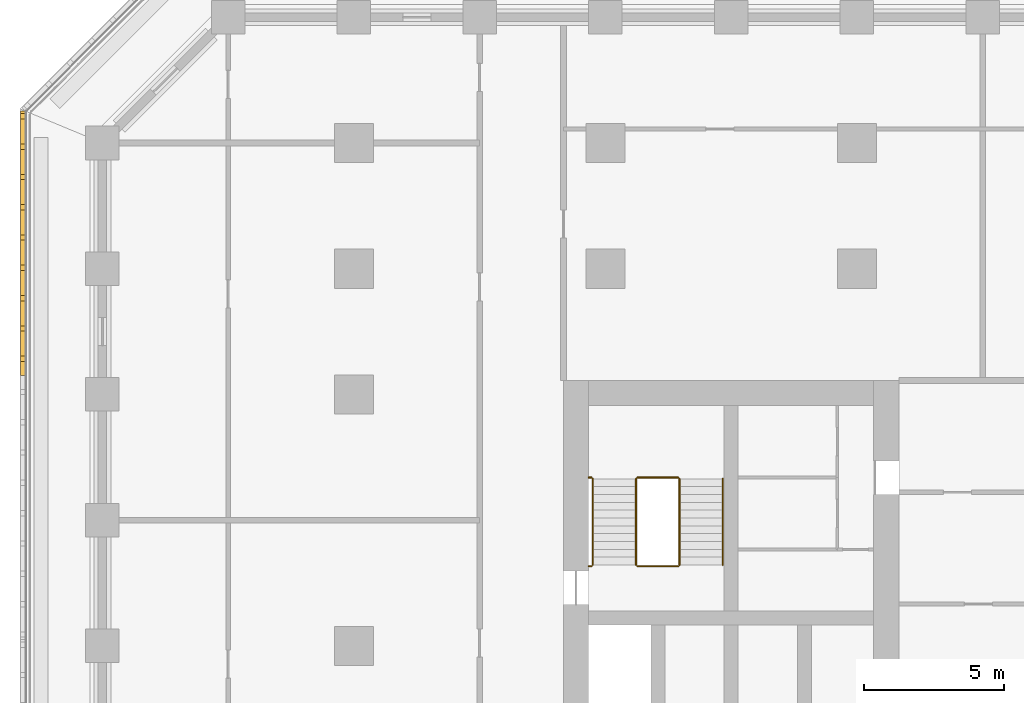
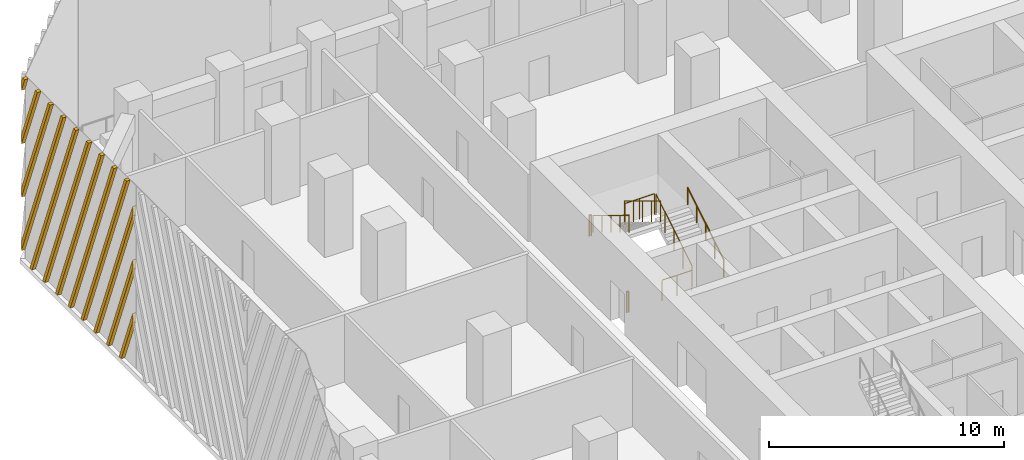
# One storey, part 13 of 17: 8 railings, 1 shading device.
"""IFC4 building model written with IfcOpenShell, lengths in metres."""

import ifcopenshell
import ifcopenshell.guid

model = None  # the IFC model being written
_history = None  # IfcOwnerHistory: only IFC2X3 demands one
_inside = {}  # id of a spatial element -> (the spatial element, [elements in it])
_under = {}  # id of a project, library or spatial element -> (it, [spatial elements below it])
_declared = {}  # id of a project -> (the project, [libraries it declares])
_typed = {}  # id of a type object -> (the type object, [elements of that type])
_made_of = {}  # id of a material, layer set ... -> (it, [elements and type objects made of it])


def new_model(schema):
    """Start an empty IFC model of exactly this schema.

    Asked for "IFC4X3", IfcOpenShell would pick the latest addendum, in which some entities
    have other attributes; the version numbers below select the first issue.
    IFC2X3 requires an IfcOwnerHistory on every rooted entity: one is made here for all.
    """
    global model, _history
    if schema == "IFC4X3":
        model = ifcopenshell.file(schema_version=(4, 3, 0, 0))
    else:
        model = ifcopenshell.file(schema=schema)
    _inside.clear()
    _under.clear()
    _declared.clear()
    _typed.clear()
    _made_of.clear()
    _history = None
    if model.schema == "IFC2X3":
        org = make("IfcOrganization", Name="unknown")
        user = make(
            "IfcPersonAndOrganization",
            ThePerson=make("IfcPerson", FamilyName="unknown"),
            TheOrganization=org,
        )
        app = make(
            "IfcApplication",
            ApplicationDeveloper=org,
            Version="unknown",
            ApplicationFullName="unknown",
            ApplicationIdentifier="unknown",
        )
        _history = make(
            "IfcOwnerHistory",
            OwningUser=user,
            OwningApplication=app,
            ChangeAction="ADDED",
            CreationDate=0,
        )
    return model


def make(cls, **values):
    """One entity of the class cls with the attributes given. An attribute that is None is left unset."""
    return model.create_entity(
        cls, **{name: value for name, value in values.items() if value is not None}
    )


def rooted(cls, **values):
    """An entity with a GlobalId (a new one), such as an element, a storey or a relation."""
    return make(cls, GlobalId=ifcopenshell.guid.new(), OwnerHistory=_history, **values)


def si_unit(unit_type, name, prefix=None):
    """IfcSIUnit, for example si_unit("LENGTHUNIT", "METRE", prefix="MILLI")."""
    return make("IfcSIUnit", UnitType=unit_type, Prefix=prefix, Name=name)


def assignment(units):
    """IfcUnitAssignment: the units of a project."""
    return None if units is None else make("IfcUnitAssignment", Units=units)


def point(xyz):
    """IfcCartesianPoint."""
    return None if xyz is None else make("IfcCartesianPoint", Coordinates=xyz)


def direction(xyz):
    """IfcDirection."""
    return None if xyz is None else make("IfcDirection", DirectionRatios=xyz)


def frame(location, z_axis=None, x_axis=None):
    """IfcAxis2Placement3D, a coordinate frame: its origin and axes. An axis left out is left unset."""
    return make(
        "IfcAxis2Placement3D",
        Location=point(location),
        Axis=direction(z_axis),
        RefDirection=direction(x_axis),
    )


def frame_2d(location, x_axis=None):
    """IfcAxis2Placement2D, a coordinate frame in the plane: its origin and x axis."""
    return make(
        "IfcAxis2Placement2D", Location=point(location), RefDirection=direction(x_axis)
    )


def origin():
    """The frame at (0, 0, 0) with its axes left unset."""
    return frame((0.0, 0.0, 0.0))


def origin_2d():
    """The frame at (0, 0) in the plane with its x axis left unset."""
    return frame_2d((0.0, 0.0))


def place(relative_to, where):
    """IfcLocalPlacement: puts the frame where relative to a parent placement (None: the world)."""
    return make(
        "IfcLocalPlacement", PlacementRelTo=relative_to, RelativePlacement=where
    )


def context(
    kind, dimensions, precision=None, world=None, true_north=None, identifier=None
):
    """IfcGeometricRepresentationContext, for example the 3D "Model" context."""
    return make(
        "IfcGeometricRepresentationContext",
        ContextIdentifier=identifier,
        ContextType=kind,
        CoordinateSpaceDimension=dimensions,
        Precision=precision,
        WorldCoordinateSystem=world,
        TrueNorth=true_north,
    )


def subcontext(parent, identifier, kind, view, scale=None):
    """IfcGeometricRepresentationSubContext, for example "Body" below "Model"."""
    return make(
        "IfcGeometricRepresentationSubContext",
        ContextIdentifier=identifier,
        ContextType=kind,
        ParentContext=parent,
        TargetScale=scale,
        TargetView=view,
    )


def project(units=None, contexts=None):
    """IfcProject with its units and contexts."""
    return rooted(
        "IfcProject",
        Name="project",
        RepresentationContexts=contexts,
        UnitsInContext=assignment(units),
    )


def spatial(cls, under=None, at=None, **own):
    """A site, building, storey or space (cls), placed at a placement, below another one or the project."""
    s = rooted(cls, ObjectPlacement=at, **own)
    if under is not None:
        _under.setdefault(under.id(), (under, []))[1].append(s)
    return s


def polyline(points):
    """IfcPolyline through the points."""
    return make("IfcPolyline", Points=[point(p) for p in points])


def profile(cls, at=None, kind="AREA", **sizes):
    """A parametric profile (cls). Its sizes go by their IFC names, for example OverallWidth=200.0."""
    return make(cls, ProfileType=kind, Position=at, **sizes)


def circle(**sizes):
    """IfcCircleProfileDef."""
    return profile("IfcCircleProfileDef", **sizes)


def outline(outer, holes=None, kind="AREA"):
    """IfcArbitraryClosedProfileDef: a profile drawn as a closed curve; with holes, ...WithVoids."""
    if holes is None:
        return make("IfcArbitraryClosedProfileDef", ProfileType=kind, OuterCurve=outer)
    return make(
        "IfcArbitraryProfileDefWithVoids",
        ProfileType=kind,
        OuterCurve=outer,
        InnerCurves=holes,
    )


def extrude(swept, where, along, depth):
    """IfcExtrudedAreaSolid: the profile swept, set in the frame where, extruded along a direction by depth."""
    return make(
        "IfcExtrudedAreaSolid",
        SweptArea=swept,
        Position=where,
        ExtrudedDirection=direction(along),
        Depth=depth,
    )


def shape(context_of_items, identifier, shape_type, items):
    """IfcShapeRepresentation: the items that make up one representation, for example the "Body"."""
    return make(
        "IfcShapeRepresentation",
        ContextOfItems=context_of_items,
        RepresentationIdentifier=identifier,
        RepresentationType=shape_type,
        Items=items,
    )


def source(mapping_origin, context_of_items, identifier, shape_type, items):
    """IfcRepresentationMap: a shape defined once, which mapped items show again and again."""
    return make(
        "IfcRepresentationMap",
        MappingOrigin=mapping_origin,
        MappedRepresentation=shape(context_of_items, identifier, shape_type, items),
    )


def transform(
    local_origin,
    x_axis=None,
    y_axis=None,
    z_axis=None,
    scale=None,
    scale2=None,
    scale3=None,
    uniform=True,
):
    """IfcCartesianTransformationOperator3D, or its non-uniform kind. x_axis, y_axis, z_axis: its Axis1, 2, 3."""
    if uniform:
        return make(
            "IfcCartesianTransformationOperator3D",
            Axis1=direction(x_axis),
            Axis2=direction(y_axis),
            LocalOrigin=point(local_origin),
            Scale=scale,
            Axis3=direction(z_axis),
        )
    return make(
        "IfcCartesianTransformationOperator3DnonUniform",
        Axis1=direction(x_axis),
        Axis2=direction(y_axis),
        LocalOrigin=point(local_origin),
        Scale=scale,
        Axis3=direction(z_axis),
        Scale2=scale2,
        Scale3=scale3,
    )


def mapped(mapping_source, mapping_target):
    """IfcMappedItem: shows the shape of a source again, moved by a transform."""
    return make(
        "IfcMappedItem", MappingSource=mapping_source, MappingTarget=mapping_target
    )


def material(Name=None, Category=None):
    """IfcMaterial."""
    return make("IfcMaterial", Name=Name, Category=Category)


def made_of(thing, what):
    """Note that an element or type object is made of a material, layer set ...; save() writes the relation."""
    if what is not None:
        _made_of.setdefault(what.id(), (what, []))[1].append(thing)
    return thing


def type_object(cls, material=None, **own):
    """A type object (cls), such as IfcWallType, which elements share."""
    return made_of(rooted(cls, **own), material)


def element(
    cls,
    number,
    at=None,
    inside=None,
    cuts=None,
    type_object=None,
    material=None,
    context=None,
    identifier="Body",
    shape_type=None,
    held_by="IfcProductDefinitionShape",
    body=None,
    shapes=None,
    **own,
):
    """One element of the class cls, such as IfcWall. Its Tag is "e" and its number.

    at: its placement. inside: the storey or other place that contains it. cuts: it is an
    opening in that element (IfcRelVoidsElement). A single representation is given by context,
    identifier, shape_type and body (its items); several are given by shapes. held_by: the class
    of the entity that holds the representations. save() writes the other relations.
    """
    e = rooted(cls, Tag="e%d" % number, ObjectPlacement=at, **own)
    if body is not None:
        shapes = [shape(context, identifier, shape_type, body)]
    if shapes is not None:
        e.Representation = make(held_by, Representations=shapes)
    if inside is not None:
        _inside.setdefault(inside.id(), (inside, []))[1].append(e)
    if cuts is not None:
        rooted(
            "IfcRelVoidsElement", RelatingBuildingElement=cuts, RelatedOpeningElement=e
        )
    if type_object is not None:
        _typed.setdefault(type_object.id(), (type_object, []))[1].append(e)
    return made_of(e, material)


def aggregate(whole, parts):
    """IfcRelAggregates: a whole, such as a stair, and the parts it consists of."""
    return rooted("IfcRelAggregates", RelatingObject=whole, RelatedObjects=parts)


def save(model, path):
    """Write the relations noted so far, then the file.

    IfcRelAggregates (storeys below a building ...), IfcRelContainedInSpatialStructure (elements
    in a storey), IfcRelDefinesByType, IfcRelAssociatesMaterial and IfcRelDeclares: one each for
    every whole, place, type object, material and project.
    """
    for whole, parts in _under.values():
        aggregate(whole, parts)
    for where, things in _inside.values():
        rooted(
            "IfcRelContainedInSpatialStructure",
            RelatedElements=things,
            RelatingStructure=where,
        )
    for kind, things in _typed.values():
        rooted("IfcRelDefinesByType", RelatedObjects=things, RelatingType=kind)
    for what, things in _made_of.values():
        rooted("IfcRelAssociatesMaterial", RelatedObjects=things, RelatingMaterial=what)
    for by, libraries in _declared.values():
        rooted("IfcRelDeclares", RelatingContext=by, RelatedDefinitions=libraries)
    model.write(path)


model = new_model("IFC4")

# Units and contexts
model_context = context("Model", 3, precision=1e-05, world=origin(), true_north=direction((0.0, 1.0)))
body_context = subcontext(model_context, "Body", "Model", "MODEL_VIEW")
ifc_project = project(units=[si_unit("LENGTHUNIT", "METRE"), si_unit("AREAUNIT", "SQUARE_METRE"), si_unit("VOLUMEUNIT", "CUBIC_METRE"), si_unit("PLANEANGLEUNIT", "RADIAN"), si_unit("MASSUNIT", "GRAM", prefix="KILO")], contexts=[model_context])

# Site, building, storey
site_placement = place(None, origin())
site = spatial("IfcSite", under=ifc_project, at=site_placement, CompositionType="ELEMENT")
building_placement = place(site_placement, origin())
building = spatial("IfcBuilding", under=site, at=building_placement, Name="Corbel Stack Research Tower", CompositionType="ELEMENT")
storey_placement = place(building_placement, frame((0.0, 0.0, 141.300048828125)))
storey = spatial("IfcBuildingStorey", under=building, at=storey_placement, Name="L32", CompositionType="ELEMENT", Elevation=141.300048828125)

# Railings
ifc_material_1 = material(Name="Steel S355", Category="steel")
railing_type_1 = type_object("IfcRailingType", Name="Stair guard 1100", PredefinedType="GUARDRAIL", material=ifc_material_1)
railing_1_placement = place(storey_placement, frame((-6.35009765625, 11.89990234375, 0.1708984375)))
element("IfcRailing", 1, at=railing_1_placement, inside=storey, type_object=railing_type_1, Name="L32 ST-W2 stair guard 1", PredefinedType="GUARDRAIL", context=body_context, shape_type="SweptSolid", body=[
    extrude(circle(Radius=0.02392578125, at=origin_2d()), frame((0.0, 0.0, 1.076171875), z_axis=(0.0, 0.853666305674, 0.52082035152), x_axis=(-1.0, 0.0, 0.0)), (0.0, 0.0, 1.0), 3.608154296875),
    extrude(circle(Radius=0.02099609375, at=origin_2d()), origin(), (0.0, 0.0, 1.0), 1.052001953125),
    extrude(circle(Radius=0.02099609375, at=origin_2d()), frame((0.0, 0.77001953125, 0.4697265625)), (0.0, 0.0, 1.0), 1.052001953125),
    extrude(circle(Radius=0.02099609375, at=origin_2d()), frame((0.0, 1.5400390625, 0.939453125)), (0.0, 0.0, 1.0), 1.052001953125),
    extrude(circle(Radius=0.02099609375, at=origin_2d()), frame((0.0, 2.31005859375, 1.409423828125)), (0.0, 0.0, 1.0), 1.052001953125),
    extrude(circle(Radius=0.02099609375, at=origin_2d()), frame((0.0, 3.080078125, 1.879150390625)), (0.0, 0.0, 1.0), 1.052001953125),
])
railing_2_placement = place(storey_placement, frame((-6.39990234375, 15.030029296875, 2.050048828125)))
element("IfcRailing", 2, at=railing_2_placement, inside=storey, type_object=railing_type_1, Name="L32 ST-W2 stair guard 2", PredefinedType="GUARDRAIL", context=body_context, shape_type="SweptSolid", body=[
    extrude(circle(Radius=0.02392578125, at=origin_2d()), frame((0.0, 0.0, 1.076171875), z_axis=(-1.0, 0.0, 0.0), x_axis=(0.0, -1.0, 0.0)), (0.0, 0.0, 1.0), 1.4501953125),
    extrude(circle(Radius=0.02099609375, at=origin_2d()), origin(), (0.0, 0.0, 1.0), 1.052001953125),
    extrude(circle(Radius=0.02099609375, at=origin_2d()), frame((-0.72509765625, 0.0, 0.0)), (0.0, 0.0, 1.0), 1.052001953125),
    extrude(circle(Radius=0.02099609375, at=origin_2d()), frame((-1.4501953125, 0.0, 0.0)), (0.0, 0.0, 1.0), 1.052001953125),
])
railing_3_placement = place(storey_placement, frame((-9.5, 15.030029296875, 2.050048828125)))
element("IfcRailing", 3, at=railing_3_placement, inside=storey, type_object=railing_type_1, Name="L32 ST-W2 stair guard 3", PredefinedType="GUARDRAIL", context=body_context, shape_type="SweptSolid", body=[
    extrude(circle(Radius=0.02392578125, at=origin_2d()), frame((0.0, 0.0, 1.076171875), z_axis=(-1.0, 0.0, 0.0), x_axis=(0.0, -1.0, 0.0)), (0.0, 0.0, 1.0), 0.10009765625),
    extrude(circle(Radius=0.02099609375, at=origin_2d()), origin(), (0.0, 0.0, 1.0), 1.052001953125),
    extrude(circle(Radius=0.02099609375, at=origin_2d()), frame((-0.10009765625, 0.0, 0.0)), (0.0, 0.0, 1.0), 1.052001953125),
])
railing_4_placement = place(storey_placement, frame((-7.89990234375, 14.97998046875, 2.220703125)))
element("IfcRailing", 4, at=railing_4_placement, inside=storey, type_object=railing_type_1, Name="L32 ST-W2 stair guard 4", PredefinedType="GUARDRAIL", context=body_context, shape_type="SweptSolid", body=[
    extrude(circle(Radius=0.02392578125, at=origin_2d()), frame((0.0, 0.0, 1.076171875), z_axis=(0.0, -0.853666305674, 0.52082035152), x_axis=(1.0, 0.0, 0.0)), (0.0, 0.0, 1.0), 3.608154296875),
    extrude(circle(Radius=0.02099609375, at=origin_2d()), origin(), (0.0, 0.0, 1.0), 1.052001953125),
    extrude(circle(Radius=0.02099609375, at=origin_2d()), frame((0.0, -0.77001953125, 0.4697265625)), (0.0, 0.0, 1.0), 1.052001953125),
    extrude(circle(Radius=0.02099609375, at=origin_2d()), frame((0.0, -1.5400390625, 0.939453125)), (0.0, 0.0, 1.0), 1.052001953125),
    extrude(circle(Radius=0.02099609375, at=origin_2d()), frame((0.0, -2.31005859375, 1.409423828125)), (0.0, 0.0, 1.0), 1.052001953125),
    extrude(circle(Radius=0.02099609375, at=origin_2d()), frame((0.0, -3.080078125, 1.879150390625)), (0.0, 0.0, 1.0), 1.052001953125),
])
railing_5_placement = place(storey_placement, frame((-6.39990234375, 11.85009765625, 0.0)))
element("IfcRailing", 5, at=railing_5_placement, inside=storey, type_object=railing_type_1, Name="L32 ST-W2 stair guard 5", PredefinedType="GUARDRAIL", context=body_context, shape_type="SweptSolid", body=[
    extrude(circle(Radius=0.02392578125, at=origin_2d()), frame((0.0, 0.0, 1.076171875), z_axis=(-1.0, 0.0, 0.0), x_axis=(0.0, -1.0, 0.0)), (0.0, 0.0, 1.0), 1.4501953125),
    extrude(circle(Radius=0.02099609375, at=origin_2d()), origin(), (0.0, 0.0, 1.0), 1.052001953125),
    extrude(circle(Radius=0.02099609375, at=origin_2d()), frame((-0.72509765625, 0.0, 0.0)), (0.0, 0.0, 1.0), 1.052001953125),
    extrude(circle(Radius=0.02099609375, at=origin_2d()), frame((-1.4501953125, 0.0, 0.0)), (0.0, 0.0, 1.0), 1.052001953125),
])
railing_6_placement = place(storey_placement, frame((-9.5, 11.85009765625, 0.0)))
element("IfcRailing", 6, at=railing_6_placement, inside=storey, type_object=railing_type_1, Name="L32 ST-W2 stair guard 6", PredefinedType="GUARDRAIL", context=body_context, shape_type="SweptSolid", body=[
    extrude(circle(Radius=0.02392578125, at=origin_2d()), frame((0.0, 0.0, 1.076171875), z_axis=(-1.0, 0.0, 0.0), x_axis=(0.0, -1.0, 0.0)), (0.0, 0.0, 1.0), 0.10009765625),
    extrude(circle(Radius=0.02099609375, at=origin_2d()), origin(), (0.0, 0.0, 1.0), 1.052001953125),
    extrude(circle(Radius=0.02099609375, at=origin_2d()), frame((-0.10009765625, 0.0, 0.0)), (0.0, 0.0, 1.0), 1.052001953125),
])
ifc_material_2 = material(Name="Steel S355", Category="steel")
railing_type_2 = type_object("IfcRailingType", Name="Stair handrail 900", PredefinedType="HANDRAIL", material=ifc_material_2)
railing_7_placement = place(storey_placement, frame((-4.800048828125, 11.89990234375, 0.1708984375)))
element("IfcRailing", 7, at=railing_7_placement, inside=storey, type_object=railing_type_2, Name="L32 ST-W2 stair handrail 1", PredefinedType="HANDRAIL", context=body_context, shape_type="SweptSolid", body=[
    extrude(circle(Radius=0.02392578125, at=origin_2d()), frame((0.0, 0.0, 0.8759765625), z_axis=(0.0, 0.853666305674, 0.52082035152), x_axis=(-1.0, 0.0, 0.0)), (0.0, 0.0, 1.0), 3.608154296875),
    extrude(circle(Radius=0.02099609375, at=origin_2d()), origin(), (0.0, 0.0, 1.0), 0.851806640625),
    extrude(circle(Radius=0.02099609375, at=origin_2d()), frame((0.0, 0.77001953125, 0.4697265625)), (0.0, 0.0, 1.0), 0.851806640625),
    extrude(circle(Radius=0.02099609375, at=origin_2d()), frame((0.0, 1.5400390625, 0.939453125)), (0.0, 0.0, 1.0), 0.851806640625),
    extrude(circle(Radius=0.02099609375, at=origin_2d()), frame((0.0, 2.31005859375, 1.409423828125)), (0.0, 0.0, 1.0), 0.851806640625),
    extrude(circle(Radius=0.02099609375, at=origin_2d()), frame((0.0, 3.080078125, 1.879150390625)), (0.0, 0.0, 1.0), 0.851806640625),
])
railing_8_placement = place(storey_placement, frame((-9.449951171875, 14.97998046875, 2.220703125)))
element("IfcRailing", 8, at=railing_8_placement, inside=storey, type_object=railing_type_2, Name="L32 ST-W2 stair handrail 2", PredefinedType="HANDRAIL", context=body_context, shape_type="SweptSolid", body=[
    extrude(circle(Radius=0.02392578125, at=origin_2d()), frame((0.0, 0.0, 0.8759765625), z_axis=(0.0, -0.853666305674, 0.52082035152), x_axis=(1.0, 0.0, 0.0)), (0.0, 0.0, 1.0), 3.608154296875),
    extrude(circle(Radius=0.02099609375, at=origin_2d()), origin(), (0.0, 0.0, 1.0), 0.851806640625),
    extrude(circle(Radius=0.02099609375, at=origin_2d()), frame((0.0, -0.77001953125, 0.4697265625)), (0.0, 0.0, 1.0), 0.851806640625),
    extrude(circle(Radius=0.02099609375, at=origin_2d()), frame((0.0, -1.5400390625, 0.939453125)), (0.0, 0.0, 1.0), 0.851806640625),
    extrude(circle(Radius=0.02099609375, at=origin_2d()), frame((0.0, -2.31005859375, 1.409423828125)), (0.0, 0.0, 1.0), 0.851806640625),
    extrude(circle(Radius=0.02099609375, at=origin_2d()), frame((0.0, -3.080078125, 1.879150390625)), (0.0, 0.0, 1.0), 0.851806640625),
])

# Shading device
ifc_material_3 = material(Name="Precast terracotta", Category="masonry")
shading_device_type = type_object("IfcShadingDeviceType", Name="Terracotta screen panel", PredefinedType="USERDEFINED", material=ifc_material_3)
shared_shape = source(origin(), body_context, "Body", "SweptSolid", [
    extrude(outline(polyline([(0.280029296875, 9.5), (0.090087890625, 9.5), (0.0, 9.26953125), (0.0, 8.782958984375), (0.280029296875, 9.5)])), frame((0.0, 0.0, 0.0), z_axis=(0.0, -1.0, 0.0), x_axis=(1.0, 0.0, 0.0)), (0.0, 0.0, 1.0), 0.179931640625),
    extrude(outline(polyline([(1.36474609375, 9.5), (1.1748046875, 9.5), (0.0, 6.4921875), (0.0, 6.005615234375), (1.36474609375, 9.5)])), frame((0.0, 0.0, 0.0), z_axis=(0.0, -1.0, 0.0), x_axis=(1.0, 0.0, 0.0)), (0.0, 0.0, 1.0), 0.179931640625),
    extrude(outline(polyline([(2.449462890625, 9.5), (2.259521484375, 9.5), (0.0, 3.71484375), (0.0, 3.228515625), (2.449462890625, 9.5)])), frame((0.0, 0.0, 0.0), z_axis=(0.0, -1.0, 0.0), x_axis=(1.0, 0.0, 0.0)), (0.0, 0.0, 1.0), 0.179931640625),
    extrude(outline(polyline([(3.533935546875, 9.5), (3.343994140625, 9.5), (0.0, 0.9375), (0.0, 0.451171875), (3.533935546875, 9.5)])), frame((0.0, 0.0, 0.0), z_axis=(0.0, -1.0, 0.0), x_axis=(1.0, 0.0, 0.0)), (0.0, 0.0, 1.0), 0.179931640625),
    extrude(outline(polyline([(0.908447265625, 0.0), (4.61865234375, 9.5), (4.4287109375, 9.5), (0.718505859375, 0.0), (0.908447265625, 0.0)])), frame((0.0, 0.0, 0.0), z_axis=(0.0, -1.0, 0.0), x_axis=(1.0, 0.0, 0.0)), (0.0, 0.0, 1.0), 0.179931640625),
    extrude(outline(polyline([(1.9931640625, 0.0), (5.703369140625, 9.5), (5.513427734375, 9.5), (1.80322265625, 0.0), (1.9931640625, 0.0)])), frame((0.0, 0.0, 0.0), z_axis=(0.0, -1.0, 0.0), x_axis=(1.0, 0.0, 0.0)), (0.0, 0.0, 1.0), 0.179931640625),
    extrude(outline(polyline([(3.077880859375, 0.0), (6.7880859375, 9.5), (6.597900390625, 9.5), (2.8876953125, 0.0), (3.077880859375, 0.0)])), frame((0.0, 0.0, 0.0), z_axis=(0.0, -1.0, 0.0), x_axis=(1.0, 0.0, 0.0)), (0.0, 0.0, 1.0), 0.179931640625),
    extrude(outline(polyline([(4.16259765625, 0.0), (7.872802734375, 9.5), (7.6826171875, 9.5), (3.972412109375, 0.0), (4.16259765625, 0.0)])), frame((0.0, 0.0, 0.0), z_axis=(0.0, -1.0, 0.0), x_axis=(1.0, 0.0, 0.0)), (0.0, 0.0, 1.0), 0.179931640625),
    extrude(outline(polyline([(5.247314453125, 0.0), (8.95751953125, 9.5), (8.767333984375, 9.5), (5.05712890625, 0.0), (5.247314453125, 0.0)])), frame((0.0, 0.0, 0.0), z_axis=(0.0, -1.0, 0.0), x_axis=(1.0, 0.0, 0.0)), (0.0, 0.0, 1.0), 0.179931640625),
    extrude(outline(polyline([(6.331787109375, 0.0), (9.45556640625, 7.99853515625), (9.45556640625, 8.485107421875), (6.141845703125, 0.0), (6.331787109375, 0.0)])), frame((0.0, 0.0, 0.0), z_axis=(0.0, -1.0, 0.0), x_axis=(1.0, 0.0, 0.0)), (0.0, 0.0, 1.0), 0.179931640625),
    extrude(outline(polyline([(7.41650390625, 0.0), (9.45556640625, 5.22119140625), (9.45556640625, 5.707763671875), (7.2265625, 0.0), (7.41650390625, 0.0)])), frame((0.0, 0.0, 0.0), z_axis=(0.0, -1.0, 0.0), x_axis=(1.0, 0.0, 0.0)), (0.0, 0.0, 1.0), 0.179931640625),
    extrude(outline(polyline([(8.501220703125, 0.0), (9.45556640625, 2.44384765625), (9.45556640625, 2.930419921875), (8.311279296875, 0.0), (8.501220703125, 0.0)])), frame((0.0, 0.0, 0.0), z_axis=(0.0, -1.0, 0.0), x_axis=(1.0, 0.0, 0.0)), (0.0, 0.0, 1.0), 0.179931640625),
])
shading_device_placement = place(storey_placement, frame((-29.75, 28.13916015625, 0.0), z_axis=(0.0, 0.0, 1.0), x_axis=(0.0, -1.0, 0.0)))
element("IfcShadingDevice", 9, at=shading_device_placement, inside=storey, type_object=shading_device_type, Name="Terracotta screen L32 W1", ObjectType="SCREEN", PredefinedType="USERDEFINED", context=body_context, shape_type="MappedRepresentation", body=[
    mapped(shared_shape, transform((0.0, 0.0, 0.0))),
])

save(model, "model.ifc")
